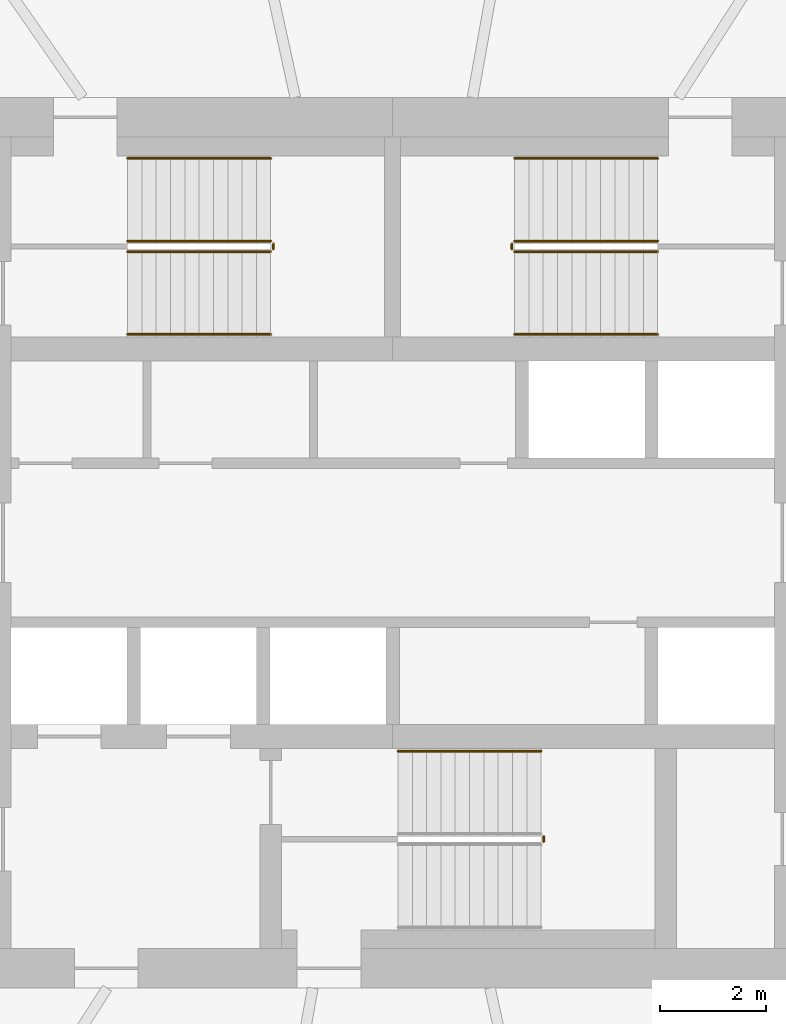
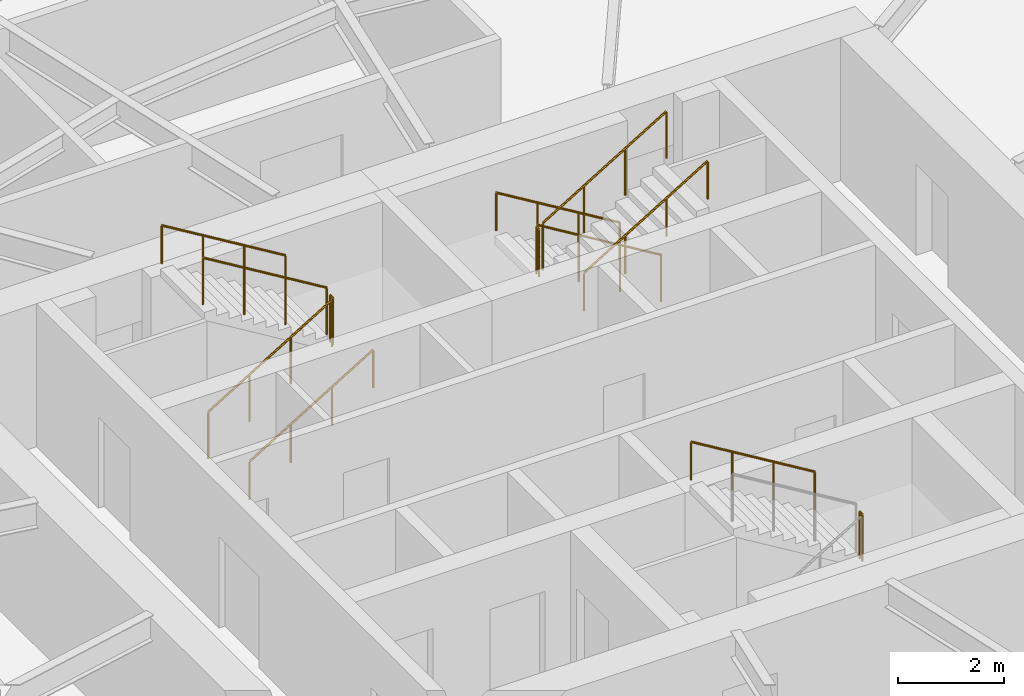
# One storey, part 7 of 8: 12 railings.
"""IFC4 building model written with IfcOpenShell, lengths in metres."""

from ifc_helpers import new_model, si_unit, direction, frame, origin, origin_2d, place, context, subcontext, project, spatial, circle, extrude, material, type_object, element, save


model = new_model("IFC4")

# Units and contexts
model_context = context("Model", 3, precision=1e-05, world=origin(), true_north=direction((0.0, 1.0)))
body_context = subcontext(model_context, "Body", "Model", "MODEL_VIEW")
ifc_project = project(units=[si_unit("LENGTHUNIT", "METRE"), si_unit("AREAUNIT", "SQUARE_METRE"), si_unit("VOLUMEUNIT", "CUBIC_METRE"), si_unit("PLANEANGLEUNIT", "RADIAN"), si_unit("MASSUNIT", "GRAM", prefix="KILO")], contexts=[model_context])

# Site, building, storey
site_placement = place(None, origin())
site = spatial("IfcSite", under=ifc_project, at=site_placement, CompositionType="ELEMENT")
building_placement = place(site_placement, origin())
building = spatial("IfcBuilding", under=site, at=building_placement, Name="Vermilion Reach Broadcast Tower", CompositionType="ELEMENT")
storey_placement = place(building_placement, frame((0.0, 0.0, 242.5)))
storey = spatial("IfcBuildingStorey", under=building, at=storey_placement, Name="L60", CompositionType="ELEMENT", Elevation=242.5)

# Railings
ifc_material_1 = material(Name="Stainless steel", Category="steel")
railing_type_1 = type_object("IfcRailingType", Name="Stair guard 1100", PredefinedType="GUARDRAIL", material=ifc_material_1)
railing_1_placement = place(storey_placement, frame((-11.0, 5.489990234375, 0.16357421875)))
element("IfcRailing", 1, at=railing_1_placement, inside=storey, type_object=railing_type_1, Name="L60 ST1 stair guard 1", PredefinedType="GUARDRAIL", context=body_context, shape_type="SweptSolid", body=[
    extrude(circle(Radius=0.02392578125, at=origin_2d()), frame((0.0, 0.0, 1.076171875), z_axis=(0.855178096276, 0.0, 0.518334277904), x_axis=(0.0, 1.0, 0.0)), (0.0, 0.0, 1.0), 3.1572265625),
    extrude(circle(Radius=0.02099609375, at=origin_2d()), origin(), (0.0, 0.0, 1.0), 1.052001953125),
    extrude(circle(Radius=0.02099609375, at=origin_2d()), frame((0.89990234375, 0.0, 0.54541015625)), (0.0, 0.0, 1.0), 1.052001953125),
    extrude(circle(Radius=0.02099609375, at=origin_2d()), frame((1.800048828125, 0.0, 1.091064453125)), (0.0, 0.0, 1.0), 1.052001953125),
    extrude(circle(Radius=0.02099609375, at=origin_2d()), frame((2.699951171875, 0.0, 1.636474609375)), (0.0, 0.0, 1.0), 1.052001953125),
])
railing_2_placement = place(storey_placement, frame((-8.25, 5.5400390625, 1.800048828125)))
element("IfcRailing", 2, at=railing_2_placement, inside=storey, type_object=railing_type_1, Name="L60 ST1 stair guard 2", PredefinedType="GUARDRAIL", context=body_context, shape_type="SweptSolid", body=[
    extrude(circle(Radius=0.02392578125, at=origin_2d()), frame((0.0, 0.0, 1.076171875), z_axis=(0.0, 1.0, 0.0), x_axis=(-1.0, 0.0, 0.0)), (0.0, 0.0, 1.0), 0.099853515625),
    extrude(circle(Radius=0.02099609375, at=origin_2d()), origin(), (0.0, 0.0, 1.0), 1.052001953125),
    extrude(circle(Radius=0.02099609375, at=origin_2d()), frame((0.0, 0.099853515625, 0.0)), (0.0, 0.0, 1.0), 1.052001953125),
])
for number, where, name in (
    (3, (-8.300048828125, 5.68994140625, 1.963623046875), "L60 ST1 stair guard 3"),
    (4, (-1.0, 5.68994140625, 0.16357421875), "L60 ST2 stair guard 1"),
):
    element("IfcRailing", number, at=place(storey_placement, frame(where)), inside=storey, type_object=railing_type_1, Name=name, PredefinedType="GUARDRAIL", context=body_context, shape_type="SweptSolid", body=[
        extrude(circle(Radius=0.02392578125, at=origin_2d()), frame((0.0, 0.0, 1.076171875), z_axis=(-0.855178096276, 0.0, 0.518334277904), x_axis=(0.0, -1.0, 0.0)), (0.0, 0.0, 1.0), 3.1572265625),
        extrude(circle(Radius=0.02099609375, at=origin_2d()), origin(), (0.0, 0.0, 1.0), 1.052001953125),
        extrude(circle(Radius=0.02099609375, at=origin_2d()), frame((-0.89990234375, 0.0, 0.54541015625)), (0.0, 0.0, 1.0), 1.052001953125),
        extrude(circle(Radius=0.02099609375, at=origin_2d()), frame((-1.800048828125, 0.0, 1.091064453125)), (0.0, 0.0, 1.0), 1.052001953125),
        extrude(circle(Radius=0.02099609375, at=origin_2d()), frame((-2.699951171875, 0.0, 1.636474609375)), (0.0, 0.0, 1.0), 1.052001953125),
    ])
railing_3_placement = place(storey_placement, frame((-3.75, 5.639892578125, 1.800048828125)))
element("IfcRailing", 5, at=railing_3_placement, inside=storey, type_object=railing_type_1, Name="L60 ST2 stair guard 2", PredefinedType="GUARDRAIL", context=body_context, shape_type="SweptSolid", body=[
    extrude(circle(Radius=0.02392578125, at=origin_2d()), frame((0.0, 0.0, 1.076171875), z_axis=(0.0, -1.0, 0.0), x_axis=(1.0, 0.0, 0.0)), (0.0, 0.0, 1.0), 0.099853515625),
    extrude(circle(Radius=0.02099609375, at=origin_2d()), origin(), (0.0, 0.0, 1.0), 1.052001953125),
    extrude(circle(Radius=0.02099609375, at=origin_2d()), frame((0.0, -0.099853515625, 0.0)), (0.0, 0.0, 1.0), 1.052001953125),
])
railing_4_placement = place(storey_placement, frame((-3.699951171875, 5.489990234375, 1.963623046875)))
element("IfcRailing", 6, at=railing_4_placement, inside=storey, type_object=railing_type_1, Name="L60 ST2 stair guard 3", PredefinedType="GUARDRAIL", context=body_context, shape_type="SweptSolid", body=[
    extrude(circle(Radius=0.02392578125, at=origin_2d()), frame((0.0, 0.0, 1.076171875), z_axis=(0.855178096276, 0.0, 0.518334277904), x_axis=(0.0, 1.0, 0.0)), (0.0, 0.0, 1.0), 3.1572265625),
    extrude(circle(Radius=0.02099609375, at=origin_2d()), origin(), (0.0, 0.0, 1.0), 1.052001953125),
    extrude(circle(Radius=0.02099609375, at=origin_2d()), frame((0.89990234375, 0.0, 0.54541015625)), (0.0, 0.0, 1.0), 1.052001953125),
    extrude(circle(Radius=0.02099609375, at=origin_2d()), frame((1.800048828125, 0.0, 1.091064453125)), (0.0, 0.0, 1.0), 1.052001953125),
    extrude(circle(Radius=0.02099609375, at=origin_2d()), frame((2.699951171875, 0.0, 1.636474609375)), (0.0, 0.0, 1.0), 1.052001953125),
])
railing_5_placement = place(storey_placement, frame((-3.14990234375, -5.639892578125, 1.800048828125)))
element("IfcRailing", 7, at=railing_5_placement, inside=storey, type_object=railing_type_1, Name="L60 ST3 stair guard 2", PredefinedType="GUARDRAIL", context=body_context, shape_type="SweptSolid", body=[
    extrude(circle(Radius=0.02392578125, at=origin_2d()), frame((0.0, 0.0, 1.076171875), z_axis=(0.0, 1.0, 0.0), x_axis=(-1.0, 0.0, 0.0)), (0.0, 0.0, 1.0), 0.099853515625),
    extrude(circle(Radius=0.02099609375, at=origin_2d()), origin(), (0.0, 0.0, 1.0), 1.052001953125),
    extrude(circle(Radius=0.02099609375, at=origin_2d()), frame((0.0, 0.099853515625, 0.0)), (0.0, 0.0, 1.0), 1.052001953125),
])
ifc_material_2 = material(Name="Stainless steel", Category="steel")
railing_type_2 = type_object("IfcRailingType", Name="Stair handrail", PredefinedType="HANDRAIL", material=ifc_material_2)
railing_6_placement = place(storey_placement, frame((-11.0, 3.929931640625, 0.16357421875)))
element("IfcRailing", 8, at=railing_6_placement, inside=storey, type_object=railing_type_2, Name="L60 ST1 stair handrail 1", PredefinedType="HANDRAIL", context=body_context, shape_type="SweptSolid", body=[
    extrude(circle(Radius=0.02392578125, at=origin_2d()), frame((0.0, 0.0, 0.8759765625), z_axis=(0.855178096276, 0.0, 0.518334277904), x_axis=(0.0, 1.0, 0.0)), (0.0, 0.0, 1.0), 3.1572265625),
    extrude(circle(Radius=0.02099609375, at=origin_2d()), origin(), (0.0, 0.0, 1.0), 0.851806640625),
    extrude(circle(Radius=0.02099609375, at=origin_2d()), frame((0.89990234375, 0.0, 0.54541015625)), (0.0, 0.0, 1.0), 0.851806640625),
    extrude(circle(Radius=0.02099609375, at=origin_2d()), frame((1.800048828125, 0.0, 1.091064453125)), (0.0, 0.0, 1.0), 0.851806640625),
    extrude(circle(Radius=0.02099609375, at=origin_2d()), frame((2.699951171875, 0.0, 1.636474609375)), (0.0, 0.0, 1.0), 0.851806640625),
])
for number, where, name in (
    (9, (-8.300048828125, 7.25, 1.963623046875), "L60 ST1 stair handrail 2"),
    (10, (-1.0, 7.25, 0.16357421875), "L60 ST2 stair handrail 1"),
):
    element("IfcRailing", number, at=place(storey_placement, frame(where)), inside=storey, type_object=railing_type_2, Name=name, PredefinedType="HANDRAIL", context=body_context, shape_type="SweptSolid", body=[
        extrude(circle(Radius=0.02392578125, at=origin_2d()), frame((0.0, 0.0, 0.8759765625), z_axis=(-0.855178096276, 0.0, 0.518334277904), x_axis=(0.0, -1.0, 0.0)), (0.0, 0.0, 1.0), 3.1572265625),
        extrude(circle(Radius=0.02099609375, at=origin_2d()), origin(), (0.0, 0.0, 1.0), 0.851806640625),
        extrude(circle(Radius=0.02099609375, at=origin_2d()), frame((-0.89990234375, 0.0, 0.54541015625)), (0.0, 0.0, 1.0), 0.851806640625),
        extrude(circle(Radius=0.02099609375, at=origin_2d()), frame((-1.800048828125, 0.0, 1.091064453125)), (0.0, 0.0, 1.0), 0.851806640625),
        extrude(circle(Radius=0.02099609375, at=origin_2d()), frame((-2.699951171875, 0.0, 1.636474609375)), (0.0, 0.0, 1.0), 0.851806640625),
    ])
railing_7_placement = place(storey_placement, frame((-3.699951171875, 3.929931640625, 1.963623046875)))
element("IfcRailing", 11, at=railing_7_placement, inside=storey, type_object=railing_type_2, Name="L60 ST2 stair handrail 2", PredefinedType="HANDRAIL", context=body_context, shape_type="SweptSolid", body=[
    extrude(circle(Radius=0.02392578125, at=origin_2d()), frame((0.0, 0.0, 0.8759765625), z_axis=(0.855178096276, 0.0, 0.518334277904), x_axis=(0.0, 1.0, 0.0)), (0.0, 0.0, 1.0), 3.1572265625),
    extrude(circle(Radius=0.02099609375, at=origin_2d()), origin(), (0.0, 0.0, 1.0), 0.851806640625),
    extrude(circle(Radius=0.02099609375, at=origin_2d()), frame((0.89990234375, 0.0, 0.54541015625)), (0.0, 0.0, 1.0), 0.851806640625),
    extrude(circle(Radius=0.02099609375, at=origin_2d()), frame((1.800048828125, 0.0, 1.091064453125)), (0.0, 0.0, 1.0), 0.851806640625),
    extrude(circle(Radius=0.02099609375, at=origin_2d()), frame((2.699951171875, 0.0, 1.636474609375)), (0.0, 0.0, 1.0), 0.851806640625),
])
railing_8_placement = place(storey_placement, frame((-3.199951171875, -3.929931640625, 1.963623046875)))
element("IfcRailing", 12, at=railing_8_placement, inside=storey, type_object=railing_type_2, Name="L60 ST3 stair handrail 2", PredefinedType="HANDRAIL", context=body_context, shape_type="SweptSolid", body=[
    extrude(circle(Radius=0.02392578125, at=origin_2d()), frame((0.0, 0.0, 0.8759765625), z_axis=(-0.855178096276, 0.0, 0.518334277904), x_axis=(0.0, -1.0, 0.0)), (0.0, 0.0, 1.0), 3.1572265625),
    extrude(circle(Radius=0.02099609375, at=origin_2d()), origin(), (0.0, 0.0, 1.0), 0.851806640625),
    extrude(circle(Radius=0.02099609375, at=origin_2d()), frame((-0.89990234375, 0.0, 0.54541015625)), (0.0, 0.0, 1.0), 0.851806640625),
    extrude(circle(Radius=0.02099609375, at=origin_2d()), frame((-1.800048828125, 0.0, 1.091064453125)), (0.0, 0.0, 1.0), 0.851806640625),
    extrude(circle(Radius=0.02099609375, at=origin_2d()), frame((-2.699951171875, 0.0, 1.636474609375)), (0.0, 0.0, 1.0), 0.851806640625),
])

save(model, "model.ifc")
